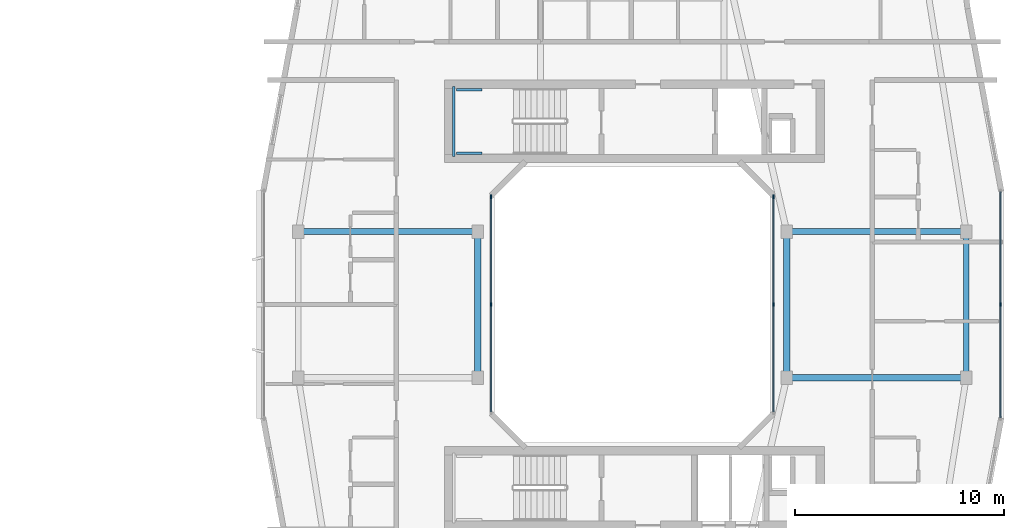
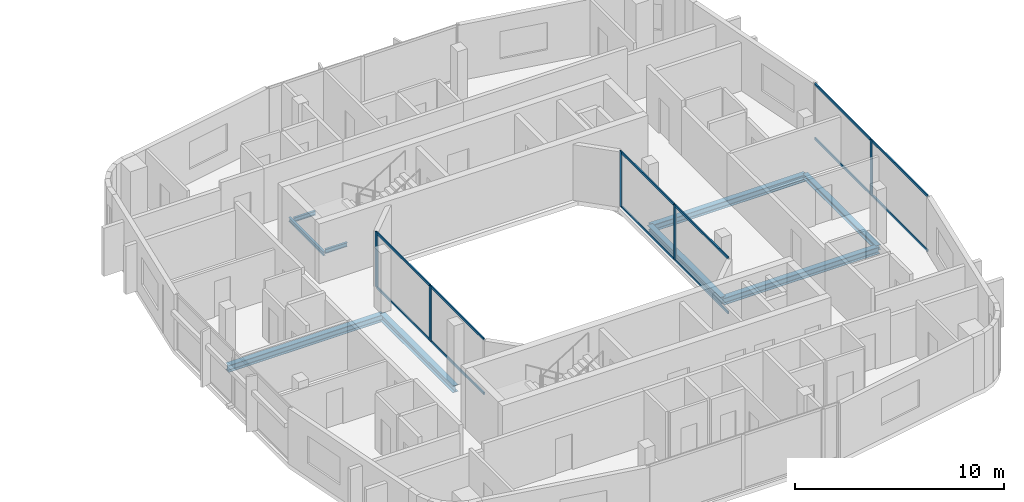
# One storey, part 9 of 26: 17 members, 9 beams, 3 elements without a shape of their own.
"""IFC4 building model written with IfcOpenShell, lengths in metres."""

from ifc_helpers import new_model, si_unit, derived_unit, direction, frame, origin, origin_2d, place, context, subcontext, project, spatial, rectangle, i_section, extrude, material, layer, layer_set, material_profile, profile_set, type_object, element, aggregate, save


model = new_model("IFC4")

# Units and contexts
model_context = context("Model", 3, precision=1e-05, world=origin(), true_north=direction((0.0, 1.0)))
body_context = subcontext(model_context, "Body", "Model", "MODEL_VIEW")
ifc_project = project(units=[si_unit("LENGTHUNIT", "METRE"), si_unit("AREAUNIT", "SQUARE_METRE"), si_unit("VOLUMEUNIT", "CUBIC_METRE"), si_unit("PLANEANGLEUNIT", "RADIAN"), si_unit("MASSUNIT", "GRAM", prefix="KILO"), derived_unit("THERMALTRANSMITTANCEUNIT", [(si_unit("POWERUNIT", "WATT"), 1), (si_unit("LENGTHUNIT", "METRE"), -2), (si_unit("THERMODYNAMICTEMPERATUREUNIT", "KELVIN"), -1)])], contexts=[model_context])

# Site, building, storey
site_placement = place(None, origin())
site = spatial("IfcSite", under=ifc_project, at=site_placement, CompositionType="ELEMENT")
building_placement = place(site_placement, origin())
building = spatial("IfcBuilding", under=site, at=building_placement, Name="Kivonza Crest Hotel", CompositionType="ELEMENT")
storey_placement = place(building_placement, frame((0.0, 0.0, 127.5)))
storey = spatial("IfcBuildingStorey", under=building, at=storey_placement, Name="L34", CompositionType="ELEMENT", Elevation=127.5)

# Beams
ifc_material_1 = material(Name="Steel S355", Category="steel")
ifc_material_profile_1 = material_profile(ifc_material_1, i_section(OverallWidth=0.280029296875, OverallDepth=0.280029296875, WebThickness=0.010498046875, FlangeThickness=0.01806640625, FilletRadius=0.02392578125, at=origin_2d()), Name="HEB 280")
ifc_profile_set_1 = profile_set([ifc_material_profile_1], Name="Steel S355")
beam_type_1 = type_object("IfcBeamType", Name="BM-HEB280", PredefinedType="SPANDREL", material=ifc_profile_set_1)
beam_1_placement = place(storey_placement, frame((93.0, 21.5, -0.389892578125), z_axis=(0.0, 1.0, 0.0), x_axis=(-1.0, 0.0, 0.0)))
element("IfcBeam", 1, at=beam_1_placement, inside=storey, type_object=beam_type_1, Name="Companion Tower T2 L34 perimeter spandrel E1-E2", PredefinedType="SPANDREL", context=body_context, shape_type="SweptSolid", body=[
    extrude(i_section(OverallWidth=0.280029296875, OverallDepth=0.280029296875, WebThickness=0.010498046875, FlangeThickness=0.01806640625, FilletRadius=0.02392578125, at=origin_2d()), origin(), (0.0, 0.0, 1.0), 7.0),
])
ifc_material_profile_2 = material_profile(ifc_material_1, i_section(OverallWidth=0.300048828125, OverallDepth=0.39990234375, WebThickness=0.013427734375, FlangeThickness=0.02392578125, FilletRadius=0.027099609375, at=origin_2d()), Name="HEB 400")
ifc_profile_set_2 = profile_set([ifc_material_profile_2], Name="Steel S355")
beam_type_2 = type_object("IfcBeamType", Name="BM-HEB400", PredefinedType="BEAM", material=ifc_profile_set_2)
beam_2_placement = place(storey_placement, frame((61.0, 28.5, -0.449951171875), z_axis=(1.0, 0.0, 0.0), x_axis=(0.0, 1.0, 0.0)))
element("IfcBeam", 2, at=beam_2_placement, inside=storey, type_object=beam_type_2, Name="Companion Tower T2 L34 girder W2-WL2", PredefinedType="BEAM", context=body_context, shape_type="SweptSolid", body=[
    extrude(i_section(OverallWidth=0.300048828125, OverallDepth=0.39990234375, WebThickness=0.013427734375, FlangeThickness=0.02392578125, FilletRadius=0.027099609375, at=origin_2d()), origin(), (0.0, 0.0, 1.0), 8.60009765625),
])
beam_3_placement = place(storey_placement, frame((69.60009765625, 21.5, -0.449951171875), z_axis=(0.0, 1.0, 0.0), x_axis=(-1.0, 0.0, 0.0)))
element("IfcBeam", 3, at=beam_3_placement, inside=storey, type_object=beam_type_2, Name="Companion Tower T2 L34 girder WL1-WL2", PredefinedType="BEAM", context=body_context, shape_type="SweptSolid", body=[
    extrude(i_section(OverallWidth=0.300048828125, OverallDepth=0.39990234375, WebThickness=0.013427734375, FlangeThickness=0.02392578125, FilletRadius=0.027099609375, at=origin_2d()), origin(), (0.0, 0.0, 1.0), 7.0),
])
for number, where, z_axis, x_axis, name in (
    (4, (84.39990234375, 21.5, -0.449951171875), (1.0, 0.0, 0.0), (0.0, 1.0, 0.0), "Companion Tower T2 L34 girder WR1-E1"),
    (5, (84.39990234375, 28.5, -0.449951171875), (1.0, 0.0, 0.0), (0.0, 1.0, 0.0), "Companion Tower T2 L34 girder WR2-E2"),
):
    element("IfcBeam", number, at=place(storey_placement, frame(where, z_axis=z_axis, x_axis=x_axis)), inside=storey, type_object=beam_type_2, Name=name, PredefinedType="BEAM", context=body_context, shape_type="SweptSolid", body=[
        extrude(i_section(OverallWidth=0.300048828125, OverallDepth=0.39990234375, WebThickness=0.013427734375, FlangeThickness=0.02392578125, FilletRadius=0.027099609375, at=origin_2d()), origin(), (0.0, 0.0, 1.0), 8.60009765625),
    ])
beam_4_placement = place(storey_placement, frame((84.39990234375, 21.5, -0.449951171875), z_axis=(0.0, 1.0, 0.0), x_axis=(-1.0, 0.0, 0.0)))
element("IfcBeam", 6, at=beam_4_placement, inside=storey, type_object=beam_type_2, Name="Companion Tower T2 L34 girder WR1-WR2", PredefinedType="BEAM", context=body_context, shape_type="SweptSolid", body=[
    extrude(i_section(OverallWidth=0.300048828125, OverallDepth=0.39990234375, WebThickness=0.013427734375, FlangeThickness=0.02392578125, FilletRadius=0.027099609375, at=origin_2d()), origin(), (0.0, 0.0, 1.0), 7.0),
])
ifc_material_profile_3 = material_profile(ifc_material_1, i_section(OverallWidth=0.1201171875, OverallDepth=0.239990234375, WebThickness=0.006103515625, FlangeThickness=0.009765625, FilletRadius=0.014892578125, at=origin_2d()), Name="IPE 240")
ifc_profile_set_3 = profile_set([ifc_material_profile_3], Name="Steel S355")
beam_type_3 = type_object("IfcBeamType", Name="BM-LLDG-240", PredefinedType="BEAM", material=ifc_profile_set_3)
beam_5_placement = place(storey_placement, frame((68.4599609375, 32.10009765625, 1.429931640625), z_axis=(0.0, 1.0, 0.0), x_axis=(-1.0, 0.0, 0.0)))
element("IfcBeam", 7, at=beam_5_placement, inside=storey, type_object=beam_type_3, Name="Stair ST-T2-N L34 West landing corbel", PredefinedType="BEAM", context=body_context, shape_type="SweptSolid", body=[
    extrude(i_section(OverallWidth=0.1201171875, OverallDepth=0.239990234375, WebThickness=0.006103515625, FlangeThickness=0.009765625, FilletRadius=0.014892578125, at=origin_2d()), origin(), (0.0, 0.0, 1.0), 3.35986328125),
])
for number, where, z_axis, x_axis, name in (
    (8, (68.590087890625, 32.260009765625, 1.429931640625), (1.0, 0.0, 0.0), (0.0, 1.0, 0.0), "Stair ST-T2-N L34 South landing corbel"),
    (9, (68.590087890625, 35.300048828125, 1.429931640625), (1.0, 0.0, 0.0), (0.0, 1.0, 0.0), "Stair ST-T2-N L34 North landing corbel"),
):
    element("IfcBeam", number, at=place(storey_placement, frame(where, z_axis=z_axis, x_axis=x_axis)), inside=storey, type_object=beam_type_3, Name=name, PredefinedType="BEAM", context=body_context, shape_type="SweptSolid", body=[
        extrude(i_section(OverallWidth=0.1201171875, OverallDepth=0.239990234375, WebThickness=0.006103515625, FlangeThickness=0.009765625, FilletRadius=0.014892578125, at=origin_2d()), origin(), (0.0, 0.0, 1.0), 1.2099609375),
    ])

# Curtain wall, member
ifc_material_2 = material(Name="Anodised bronze aluminium and low-E double glazing", Category="aluminium")
ifc_layer_1 = layer(ifc_material_2, 0.179931640625)
ifc_layer_set_1 = layer_set([ifc_layer_1], Name="Anodised bronze aluminium and low-E double glazing")
curtain_wall_type_1 = type_object("IfcCurtainWallType", Name="CW-SYS-4", PredefinedType="NOTDEFINED", material=ifc_layer_set_1)
curtain_wall_1_placement = place(storey_placement, origin())
curtain_wall_1 = element("IfcCurtainWall", 10, at=curtain_wall_1_placement, inside=storey, type_object=curtain_wall_type_1, Name="L34 unitised curtain wall CW-T2-L34-17", PredefinedType="NOTDEFINED")
ifc_material_3 = material(Name="Anodised bronze aluminium", Category="aluminium")
ifc_material_profile_4 = material_profile(ifc_material_3, rectangle(XDim=0.06494140625, YDim=0.179931640625, at=origin_2d()), Name="CW-M 65x180")
ifc_profile_set_4 = profile_set([ifc_material_profile_4], Name="Anodised bronze aluminium")
member_type_1 = type_object("IfcMemberType", Name="CW-MUL-65x180", PredefinedType="MULLION", material=ifc_profile_set_4)
member_1_placement = place(storey_placement, frame((94.639892578125, 25.0, 0.0), z_axis=(0.0, 0.0, 1.0), x_axis=(-1.0, 0.0, 0.0)))
member_1 = element("IfcMember", 11, at=member_1_placement, type_object=member_type_1, Name="CW-4 mullion 2", PredefinedType="MULLION", context=body_context, shape_type="SweptSolid", body=[
    extrude(rectangle(XDim=0.06494140625, YDim=0.179931640625, at=origin_2d()), origin(), (0.0, 0.0, 1.0), 3.25),
])

# Curtain wall, members
ifc_layer_2 = layer(ifc_material_2, 0.159912109375)
ifc_layer_set_2 = layer_set([ifc_layer_2], Name="Anodised bronze aluminium and low-E double glazing")
curtain_wall_type_2 = type_object("IfcCurtainWallType", Name="CW-SYS-5", PredefinedType="NOTDEFINED", material=ifc_layer_set_2)
curtain_wall_2_placement = place(storey_placement, origin())
curtain_wall_2 = element("IfcCurtainWall", 12, at=curtain_wall_2_placement, inside=storey, type_object=curtain_wall_type_2, Name="L34 unitised curtain wall CW-WELL-T2-L34-3", PredefinedType="NOTDEFINED")
member_2_placement = place(storey_placement, frame((83.760009765625, 25.0, 0.0), z_axis=(0.0, 0.0, 1.0), x_axis=(-1.0, 0.0, 0.0)))
member_2 = element("IfcMember", 13, at=member_2_placement, type_object=member_type_1, Name="CW-5 mullion 2", PredefinedType="MULLION", context=body_context, shape_type="SweptSolid", body=[
    extrude(rectangle(XDim=0.06494140625, YDim=0.179931640625, at=origin_2d()), origin(), (0.0, 0.0, 1.0), 3.25),
])
member_3_placement = place(storey_placement, frame((83.760009765625, 30.16748046875, 0.0), z_axis=(0.0, 0.0, 1.0), x_axis=(-1.0, 0.0, 0.0)))
member_3 = element("IfcMember", 14, at=member_3_placement, type_object=member_type_1, Name="CW-5 mullion 3", PredefinedType="MULLION", context=body_context, shape_type="SweptSolid", body=[
    extrude(rectangle(XDim=0.06494140625, YDim=0.179931640625, at=origin_2d()), origin(), (0.0, 0.0, 1.0), 3.25),
])

curtain_wall_3_placement = place(storey_placement, origin())
curtain_wall_3 = element("IfcCurtainWall", 15, at=curtain_wall_3_placement, inside=storey, type_object=curtain_wall_type_2, Name="L34 unitised curtain wall CW-WELL-T2-L34-7", PredefinedType="NOTDEFINED")
member_4_placement = place(storey_placement, frame((70.239990234375, 30.16748046875, 0.0), z_axis=(0.0, 0.0, 1.0), x_axis=(1.0, 0.0, 0.0)))
member_4 = element("IfcMember", 16, at=member_4_placement, type_object=member_type_1, Name="CW-5 mullion 1", PredefinedType="MULLION", context=body_context, shape_type="SweptSolid", body=[
    extrude(rectangle(XDim=0.06494140625, YDim=0.179931640625, at=origin_2d()), origin(), (0.0, 0.0, 1.0), 3.25),
])
member_5_placement = place(storey_placement, frame((70.239990234375, 25.0, 0.0), z_axis=(0.0, 0.0, 1.0), x_axis=(1.0, 0.0, 0.0)))
member_5 = element("IfcMember", 17, at=member_5_placement, type_object=member_type_1, Name="CW-5 mullion 2", PredefinedType="MULLION", context=body_context, shape_type="SweptSolid", body=[
    extrude(rectangle(XDim=0.06494140625, YDim=0.179931640625, at=origin_2d()), origin(), (0.0, 0.0, 1.0), 3.25),
])

# Member
ifc_material_profile_5 = material_profile(ifc_material_3, rectangle(XDim=0.06494140625, YDim=0.139892578125, at=origin_2d()), Name="CW-T 65x140")
ifc_profile_set_5 = profile_set([ifc_material_profile_5], Name="Anodised bronze aluminium")
member_type_2 = type_object("IfcMemberType", Name="CW-TRN-65x140", PredefinedType="USERDEFINED", material=ifc_profile_set_5)
member_6_placement = place(storey_placement, frame((94.639892578125, 19.5849609375, 0.032470703125), z_axis=(0.0, 1.0, 0.0), x_axis=(-1.0, 0.0, 0.0)))
member_6 = element("IfcMember", 18, at=member_6_placement, type_object=member_type_2, Name="CW-4 transom 1.1", ObjectType="TRANSOM", PredefinedType="USERDEFINED", context=body_context, shape_type="SweptSolid", body=[
    extrude(rectangle(XDim=0.06494140625, YDim=0.139892578125, at=origin_2d()), origin(), (0.0, 0.0, 1.0), 5.382568359375),
])

member_7_placement = place(storey_placement, frame((94.639892578125, 19.5849609375, 3.217529296875), z_axis=(0.0, 1.0, 0.0), x_axis=(-1.0, 0.0, 0.0)))
member_7 = element("IfcMember", 19, at=member_7_placement, type_object=member_type_2, Name="CW-4 transom 1.2", ObjectType="TRANSOM", PredefinedType="USERDEFINED", context=body_context, shape_type="SweptSolid", body=[
    extrude(rectangle(XDim=0.06494140625, YDim=0.139892578125, at=origin_2d()), origin(), (0.0, 0.0, 1.0), 5.382568359375),
])

member_8_placement = place(storey_placement, frame((94.639892578125, 25.032470703125, 0.032470703125), z_axis=(0.0, 1.0, 0.0), x_axis=(-1.0, 0.0, 0.0)))
member_8 = element("IfcMember", 20, at=member_8_placement, type_object=member_type_2, Name="CW-4 transom 2.1", ObjectType="TRANSOM", PredefinedType="USERDEFINED", context=body_context, shape_type="SweptSolid", body=[
    extrude(rectangle(XDim=0.06494140625, YDim=0.139892578125, at=origin_2d()), origin(), (0.0, 0.0, 1.0), 5.382568359375),
])

member_9_placement = place(storey_placement, frame((94.639892578125, 25.032470703125, 3.217529296875), z_axis=(0.0, 1.0, 0.0), x_axis=(-1.0, 0.0, 0.0)))
member_9 = element("IfcMember", 21, at=member_9_placement, type_object=member_type_2, Name="CW-4 transom 2.2", ObjectType="TRANSOM", PredefinedType="USERDEFINED", context=body_context, shape_type="SweptSolid", body=[
    extrude(rectangle(XDim=0.06494140625, YDim=0.139892578125, at=origin_2d()), origin(), (0.0, 0.0, 1.0), 5.382568359375),
])

aggregate(curtain_wall_1, [member_1, member_6, member_7, member_8, member_9])

member_10_placement = place(storey_placement, frame((83.760009765625, 19.864990234375, 0.032470703125), z_axis=(0.0, 1.0, 0.0), x_axis=(-1.0, 0.0, 0.0)))
member_10 = element("IfcMember", 22, at=member_10_placement, type_object=member_type_2, Name="CW-5 transom 1.1", ObjectType="TRANSOM", PredefinedType="USERDEFINED", context=body_context, shape_type="SweptSolid", body=[
    extrude(rectangle(XDim=0.06494140625, YDim=0.139892578125, at=origin_2d()), origin(), (0.0, 0.0, 1.0), 5.1025390625),
])

member_11_placement = place(storey_placement, frame((83.760009765625, 19.864990234375, 3.217529296875), z_axis=(0.0, 1.0, 0.0), x_axis=(-1.0, 0.0, 0.0)))
member_11 = element("IfcMember", 23, at=member_11_placement, type_object=member_type_2, Name="CW-5 transom 1.2", ObjectType="TRANSOM", PredefinedType="USERDEFINED", context=body_context, shape_type="SweptSolid", body=[
    extrude(rectangle(XDim=0.06494140625, YDim=0.139892578125, at=origin_2d()), origin(), (0.0, 0.0, 1.0), 5.1025390625),
])

member_12_placement = place(storey_placement, frame((83.760009765625, 25.032470703125, 0.032470703125), z_axis=(0.0, 1.0, 0.0), x_axis=(-1.0, 0.0, 0.0)))
member_12 = element("IfcMember", 24, at=member_12_placement, type_object=member_type_2, Name="CW-5 transom 2.1", ObjectType="TRANSOM", PredefinedType="USERDEFINED", context=body_context, shape_type="SweptSolid", body=[
    extrude(rectangle(XDim=0.06494140625, YDim=0.139892578125, at=origin_2d()), origin(), (0.0, 0.0, 1.0), 5.1025390625),
])

member_13_placement = place(storey_placement, frame((83.760009765625, 25.032470703125, 3.217529296875), z_axis=(0.0, 1.0, 0.0), x_axis=(-1.0, 0.0, 0.0)))
member_13 = element("IfcMember", 25, at=member_13_placement, type_object=member_type_2, Name="CW-5 transom 2.2", ObjectType="TRANSOM", PredefinedType="USERDEFINED", context=body_context, shape_type="SweptSolid", body=[
    extrude(rectangle(XDim=0.06494140625, YDim=0.139892578125, at=origin_2d()), origin(), (0.0, 0.0, 1.0), 5.1025390625),
])

aggregate(curtain_wall_2, [member_2, member_3, member_10, member_11, member_12, member_13])

member_14_placement = place(storey_placement, frame((70.239990234375, 30.135009765625, 0.032470703125), z_axis=(0.0, -1.0, 0.0), x_axis=(1.0, 0.0, 0.0)))
member_14 = element("IfcMember", 26, at=member_14_placement, type_object=member_type_2, Name="CW-5 transom 1.1", ObjectType="TRANSOM", PredefinedType="USERDEFINED", context=body_context, shape_type="SweptSolid", body=[
    extrude(rectangle(XDim=0.06494140625, YDim=0.139892578125, at=origin_2d()), origin(), (0.0, 0.0, 1.0), 5.1025390625),
])

member_15_placement = place(storey_placement, frame((70.239990234375, 30.135009765625, 3.217529296875), z_axis=(0.0, -1.0, 0.0), x_axis=(1.0, 0.0, 0.0)))
member_15 = element("IfcMember", 27, at=member_15_placement, type_object=member_type_2, Name="CW-5 transom 1.2", ObjectType="TRANSOM", PredefinedType="USERDEFINED", context=body_context, shape_type="SweptSolid", body=[
    extrude(rectangle(XDim=0.06494140625, YDim=0.139892578125, at=origin_2d()), origin(), (0.0, 0.0, 1.0), 5.1025390625),
])

member_16_placement = place(storey_placement, frame((70.239990234375, 24.967529296875, 0.032470703125), z_axis=(0.0, -1.0, 0.0), x_axis=(1.0, 0.0, 0.0)))
member_16 = element("IfcMember", 28, at=member_16_placement, type_object=member_type_2, Name="CW-5 transom 2.1", ObjectType="TRANSOM", PredefinedType="USERDEFINED", context=body_context, shape_type="SweptSolid", body=[
    extrude(rectangle(XDim=0.06494140625, YDim=0.139892578125, at=origin_2d()), origin(), (0.0, 0.0, 1.0), 5.1025390625),
])

member_17_placement = place(storey_placement, frame((70.239990234375, 24.967529296875, 3.217529296875), z_axis=(0.0, -1.0, 0.0), x_axis=(1.0, 0.0, 0.0)))
member_17 = element("IfcMember", 29, at=member_17_placement, type_object=member_type_2, Name="CW-5 transom 2.2", ObjectType="TRANSOM", PredefinedType="USERDEFINED", context=body_context, shape_type="SweptSolid", body=[
    extrude(rectangle(XDim=0.06494140625, YDim=0.139892578125, at=origin_2d()), origin(), (0.0, 0.0, 1.0), 5.1025390625),
])

aggregate(curtain_wall_3, [member_4, member_5, member_14, member_15, member_16, member_17])

save(model, "model.ifc")
